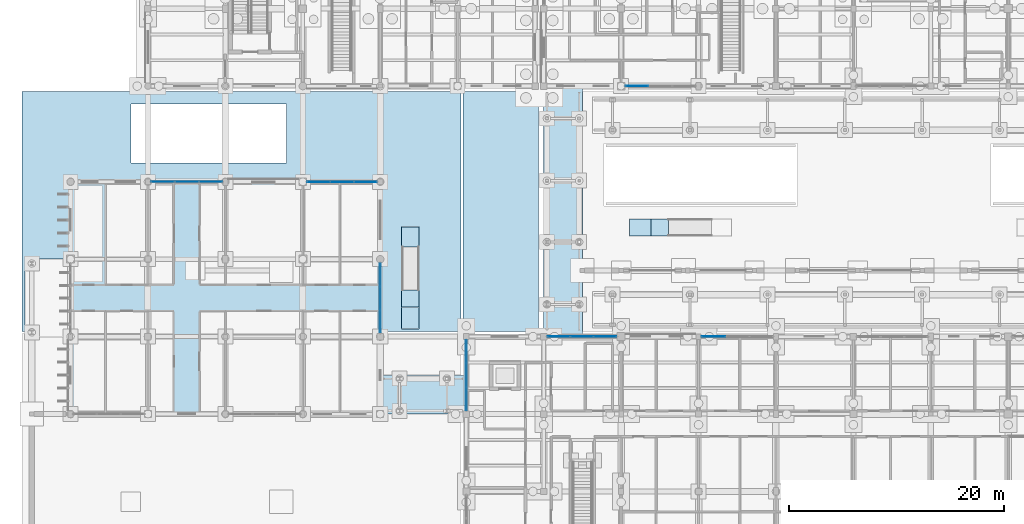
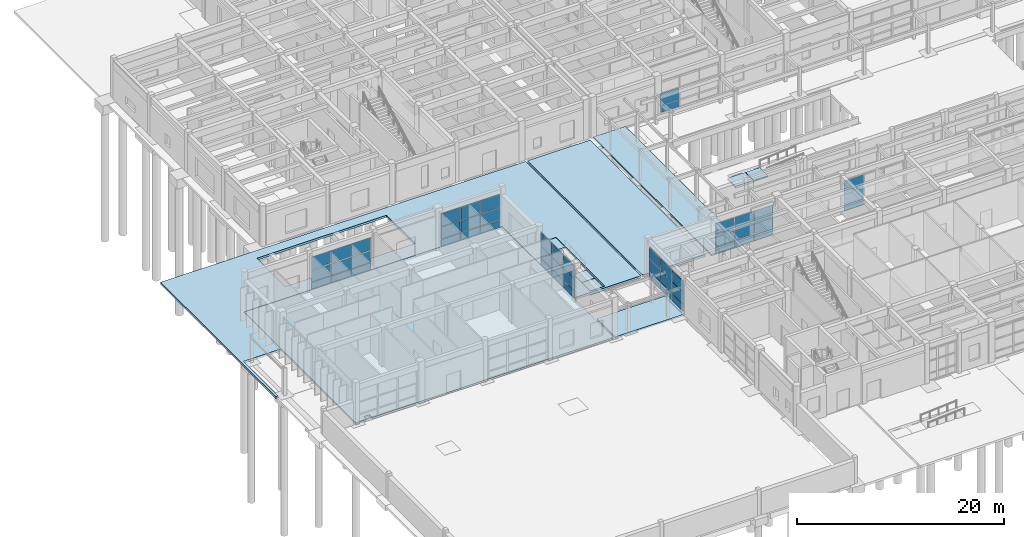
# One storey, part 79 of 143: 50 plates, 10 slabs, 9 elements without a shape of their own.
"""IFC4 building model written with IfcOpenShell, lengths in metres."""

from ifc_helpers import new_model, si_unit, direction, frame, origin, origin_2d, place, context, subcontext, project, spatial, polyline, rectangle, outline, extrude, material, layer, layer_set, type_object, element, aggregate, save


model = new_model("IFC4")

# Units and contexts
model_context = context("Model", 3, precision=1e-05, world=origin(), true_north=direction((0.0, 1.0)))
body_context = subcontext(model_context, "Body", "Model", "MODEL_VIEW")
ifc_project = project(units=[si_unit("LENGTHUNIT", "METRE"), si_unit("AREAUNIT", "SQUARE_METRE"), si_unit("VOLUMEUNIT", "CUBIC_METRE"), si_unit("PLANEANGLEUNIT", "RADIAN"), si_unit("MASSUNIT", "GRAM", prefix="KILO")], contexts=[model_context])

# Site, building, storey
site_placement = place(None, origin())
site = spatial("IfcSite", under=ifc_project, at=site_placement, CompositionType="ELEMENT")
building_placement = place(site_placement, origin())
building = spatial("IfcBuilding", under=site, at=building_placement, Name="Steenspoor Specialist Clinic", CompositionType="ELEMENT")
storey_placement = place(building_placement, origin())
storey = spatial("IfcBuildingStorey", under=building, at=storey_placement, Name="L00", CompositionType="ELEMENT", Elevation=0.0)

# Curtain wall, plates
ifc_material_1 = material(Name="Thermally broken aluminium and low-emissivity glass", Category="aluminium")
curtain_wall_type_1 = type_object("IfcCurtainWallType", Name="CW-TYP-660X355", PredefinedType="USERDEFINED", material=ifc_material_1)
curtain_wall_1_placement = place(storey_placement, origin())
curtain_wall_1 = element("IfcCurtainWall", 1, at=curtain_wall_1_placement, inside=storey, type_object=curtain_wall_type_1, Name="Unitised Curtain Wall CW-V1-L00-009", ObjectType="UNITISED GLAZING", PredefinedType="USERDEFINED")
ifc_material_2 = material(Name="Double low-emissivity insulated glass", Category="glass")
ifc_layer_1 = layer(ifc_material_2, 0.035888671875)
ifc_layer_set_1 = layer_set([ifc_layer_1], Name="Double low-emissivity insulated glass")
plate_type_1 = type_object("IfcPlateType", Name="CW-PAN-GL36", PredefinedType="CURTAIN_PANEL", material=ifc_layer_set_1)
plate_1_placement = place(storey_placement, frame((53.8037109375, 41.85009765625, 0.08984375), z_axis=(0.0, 0.0, 1.0), x_axis=(1.0, 0.0, 0.0)))
plate_1 = element("IfcPlate", 2, at=plate_1_placement, type_object=plate_type_1, Name="CW-09 panel 1.1", PredefinedType="CURTAIN_PANEL", context=body_context, shape_type="SweptSolid", body=[
    extrude(rectangle(XDim=2.077392578125, YDim=0.035888671875, at=origin_2d()), origin(), (0.0, 0.0, 1.0), 0.764892578125),
])
plate_2_placement = place(storey_placement, frame((53.8037109375, 41.85009765625, 0.94482421875), z_axis=(0.0, 0.0, 1.0), x_axis=(1.0, 0.0, 0.0)))
plate_2 = element("IfcPlate", 3, at=plate_2_placement, type_object=plate_type_1, Name="CW-09 panel 1.2", PredefinedType="CURTAIN_PANEL", context=body_context, shape_type="SweptSolid", body=[
    extrude(rectangle(XDim=2.077392578125, YDim=0.035888671875, at=origin_2d()), origin(), (0.0, 0.0, 1.0), 1.360107421875),
])
plate_3_placement = place(storey_placement, frame((53.8037109375, 41.85009765625, 2.39501953125), z_axis=(0.0, 0.0, 1.0), x_axis=(1.0, 0.0, 0.0)))
plate_3 = element("IfcPlate", 4, at=plate_3_placement, type_object=plate_type_1, Name="CW-09 panel 1.3", PredefinedType="CURTAIN_PANEL", context=body_context, shape_type="SweptSolid", body=[
    extrude(rectangle(XDim=2.077392578125, YDim=0.035888671875, at=origin_2d()), origin(), (0.0, 0.0, 1.0), 1.2451171875),
])
plate_4_placement = place(storey_placement, frame((55.96240234375, 41.85009765625, 0.08984375), z_axis=(0.0, 0.0, 1.0), x_axis=(1.0, 0.0, 0.0)))
plate_4 = element("IfcPlate", 5, at=plate_4_placement, type_object=plate_type_1, Name="CW-09 panel 2.1", PredefinedType="CURTAIN_PANEL", context=body_context, shape_type="SweptSolid", body=[
    extrude(rectangle(XDim=2.110107421875, YDim=0.035888671875, at=origin_2d()), origin(), (0.0, 0.0, 1.0), 0.764892578125),
])
plate_5_placement = place(storey_placement, frame((55.96240234375, 41.85009765625, 0.94482421875), z_axis=(0.0, 0.0, 1.0), x_axis=(1.0, 0.0, 0.0)))
plate_5 = element("IfcPlate", 6, at=plate_5_placement, type_object=plate_type_1, Name="CW-09 panel 2.2", PredefinedType="CURTAIN_PANEL", context=body_context, shape_type="SweptSolid", body=[
    extrude(rectangle(XDim=2.110107421875, YDim=0.035888671875, at=origin_2d()), origin(), (0.0, 0.0, 1.0), 1.360107421875),
])
plate_6_placement = place(storey_placement, frame((55.96240234375, 41.85009765625, 2.39501953125), z_axis=(0.0, 0.0, 1.0), x_axis=(1.0, 0.0, 0.0)))
plate_6 = element("IfcPlate", 7, at=plate_6_placement, type_object=plate_type_1, Name="CW-09 panel 2.3", PredefinedType="CURTAIN_PANEL", context=body_context, shape_type="SweptSolid", body=[
    extrude(rectangle(XDim=2.110107421875, YDim=0.035888671875, at=origin_2d()), origin(), (0.0, 0.0, 1.0), 1.2451171875),
])
plate_7_placement = place(storey_placement, frame((58.121337890625, 41.85009765625, 0.08984375), z_axis=(0.0, 0.0, 1.0), x_axis=(1.0, 0.0, 0.0)))
plate_7 = element("IfcPlate", 8, at=plate_7_placement, type_object=plate_type_1, Name="CW-09 panel 3.1", PredefinedType="CURTAIN_PANEL", context=body_context, shape_type="SweptSolid", body=[
    extrude(rectangle(XDim=2.077392578125, YDim=0.035888671875, at=origin_2d()), origin(), (0.0, 0.0, 1.0), 0.764892578125),
])
plate_8_placement = place(storey_placement, frame((58.121337890625, 41.85009765625, 0.94482421875), z_axis=(0.0, 0.0, 1.0), x_axis=(1.0, 0.0, 0.0)))
plate_8 = element("IfcPlate", 9, at=plate_8_placement, type_object=plate_type_1, Name="CW-09 panel 3.2", PredefinedType="CURTAIN_PANEL", context=body_context, shape_type="SweptSolid", body=[
    extrude(rectangle(XDim=2.077392578125, YDim=0.035888671875, at=origin_2d()), origin(), (0.0, 0.0, 1.0), 1.360107421875),
])
plate_9_placement = place(storey_placement, frame((58.121337890625, 41.85009765625, 2.39501953125), z_axis=(0.0, 0.0, 1.0), x_axis=(1.0, 0.0, 0.0)))
plate_9 = element("IfcPlate", 10, at=plate_9_placement, type_object=plate_type_1, Name="CW-09 panel 3.3", PredefinedType="CURTAIN_PANEL", context=body_context, shape_type="SweptSolid", body=[
    extrude(rectangle(XDim=2.077392578125, YDim=0.035888671875, at=origin_2d()), origin(), (0.0, 0.0, 1.0), 1.2451171875),
])
aggregate(curtain_wall_1, [plate_1, plate_2, plate_3, plate_4, plate_5, plate_6, plate_7, plate_8, plate_9])

curtain_wall_type_2 = type_object("IfcCurtainWallType", Name="CW-TYP-300X355", PredefinedType="USERDEFINED", material=ifc_material_1)
curtain_wall_2_placement = place(storey_placement, origin())
curtain_wall_2 = element("IfcCurtainWall", 11, at=curtain_wall_2_placement, inside=storey, type_object=curtain_wall_type_2, Name="Unitised Curtain Wall CW-V3-L00-039", ObjectType="UNITISED GLAZING", PredefinedType="USERDEFINED")
plate_10_placement = place(storey_placement, frame((16.987060546875, 56.25, 0.08984375), z_axis=(0.0, 0.0, 1.0), x_axis=(1.0, 0.0, 0.0)))
plate_10 = element("IfcPlate", 12, at=plate_10_placement, type_object=plate_type_1, Name="CW-15 panel 1.1", PredefinedType="CURTAIN_PANEL", context=body_context, shape_type="SweptSolid", body=[
    extrude(rectangle(XDim=2.144287109375, YDim=0.035888671875, at=origin_2d()), origin(), (0.0, 0.0, 1.0), 0.764892578125),
])
plate_11_placement = place(storey_placement, frame((16.987060546875, 56.25, 0.94482421875), z_axis=(0.0, 0.0, 1.0), x_axis=(1.0, 0.0, 0.0)))
plate_11 = element("IfcPlate", 13, at=plate_11_placement, type_object=plate_type_1, Name="CW-15 panel 1.2", PredefinedType="CURTAIN_PANEL", context=body_context, shape_type="SweptSolid", body=[
    extrude(rectangle(XDim=2.144287109375, YDim=0.035888671875, at=origin_2d()), origin(), (0.0, 0.0, 1.0), 1.360107421875),
])
plate_12_placement = place(storey_placement, frame((16.987060546875, 56.25, 2.39501953125), z_axis=(0.0, 0.0, 1.0), x_axis=(1.0, 0.0, 0.0)))
plate_12 = element("IfcPlate", 14, at=plate_12_placement, type_object=plate_type_1, Name="CW-15 panel 1.3", PredefinedType="CURTAIN_PANEL", context=body_context, shape_type="SweptSolid", body=[
    extrude(rectangle(XDim=2.144287109375, YDim=0.035888671875, at=origin_2d()), origin(), (0.0, 0.0, 1.0), 1.4951171875),
])
plate_13_placement = place(storey_placement, frame((19.21240234375, 56.25, 0.08984375), z_axis=(0.0, 0.0, 1.0), x_axis=(1.0, 0.0, 0.0)))
plate_13 = element("IfcPlate", 15, at=plate_13_placement, type_object=plate_type_1, Name="CW-15 panel 2.1", PredefinedType="CURTAIN_PANEL", context=body_context, shape_type="SweptSolid", body=[
    extrude(rectangle(XDim=2.1767578125, YDim=0.035888671875, at=origin_2d()), origin(), (0.0, 0.0, 1.0), 0.764892578125),
])
plate_14_placement = place(storey_placement, frame((19.21240234375, 56.25, 0.94482421875), z_axis=(0.0, 0.0, 1.0), x_axis=(1.0, 0.0, 0.0)))
plate_14 = element("IfcPlate", 16, at=plate_14_placement, type_object=plate_type_1, Name="CW-15 panel 2.2", PredefinedType="CURTAIN_PANEL", context=body_context, shape_type="SweptSolid", body=[
    extrude(rectangle(XDim=2.1767578125, YDim=0.035888671875, at=origin_2d()), origin(), (0.0, 0.0, 1.0), 1.360107421875),
])
plate_15_placement = place(storey_placement, frame((19.21240234375, 56.25, 2.39501953125), z_axis=(0.0, 0.0, 1.0), x_axis=(1.0, 0.0, 0.0)))
plate_15 = element("IfcPlate", 17, at=plate_15_placement, type_object=plate_type_1, Name="CW-15 panel 2.3", PredefinedType="CURTAIN_PANEL", context=body_context, shape_type="SweptSolid", body=[
    extrude(rectangle(XDim=2.1767578125, YDim=0.035888671875, at=origin_2d()), origin(), (0.0, 0.0, 1.0), 1.4951171875),
])
plate_16_placement = place(storey_placement, frame((21.43798828125, 56.25, 0.08984375), z_axis=(0.0, 0.0, 1.0), x_axis=(1.0, 0.0, 0.0)))
plate_16 = element("IfcPlate", 18, at=plate_16_placement, type_object=plate_type_1, Name="CW-15 panel 3.1", PredefinedType="CURTAIN_PANEL", context=body_context, shape_type="SweptSolid", body=[
    extrude(rectangle(XDim=2.144287109375, YDim=0.035888671875, at=origin_2d()), origin(), (0.0, 0.0, 1.0), 0.764892578125),
])
plate_17_placement = place(storey_placement, frame((21.43798828125, 56.25, 0.94482421875), z_axis=(0.0, 0.0, 1.0), x_axis=(1.0, 0.0, 0.0)))
plate_17 = element("IfcPlate", 19, at=plate_17_placement, type_object=plate_type_1, Name="CW-15 panel 3.2", PredefinedType="CURTAIN_PANEL", context=body_context, shape_type="SweptSolid", body=[
    extrude(rectangle(XDim=2.144287109375, YDim=0.035888671875, at=origin_2d()), origin(), (0.0, 0.0, 1.0), 1.360107421875),
])
plate_18_placement = place(storey_placement, frame((21.43798828125, 56.25, 2.39501953125), z_axis=(0.0, 0.0, 1.0), x_axis=(1.0, 0.0, 0.0)))
plate_18 = element("IfcPlate", 20, at=plate_18_placement, type_object=plate_type_1, Name="CW-15 panel 3.3", PredefinedType="CURTAIN_PANEL", context=body_context, shape_type="SweptSolid", body=[
    extrude(rectangle(XDim=2.144287109375, YDim=0.035888671875, at=origin_2d()), origin(), (0.0, 0.0, 1.0), 1.4951171875),
])
aggregate(curtain_wall_2, [plate_10, plate_11, plate_12, plate_13, plate_14, plate_15, plate_16, plate_17, plate_18])

curtain_wall_type_3 = type_object("IfcCurtainWallType", Name="CW-TYP-650X355", PredefinedType="USERDEFINED", material=ifc_material_1)
curtain_wall_3_placement = place(storey_placement, origin())
curtain_wall_3 = element("IfcCurtainWall", 21, at=curtain_wall_3_placement, inside=storey, type_object=curtain_wall_type_3, Name="Unitised Curtain Wall CW-V1-L00-010", ObjectType="UNITISED GLAZING", PredefinedType="USERDEFINED")
ifc_material_3 = material(Name="Triple acoustic laminated low-emissivity glass", Category="glass")
ifc_layer_2 = layer(ifc_material_3, 0.048095703125)
ifc_layer_set_2 = layer_set([ifc_layer_2], Name="Triple acoustic laminated low-emissivity glass")
plate_type_2 = type_object("IfcPlateType", Name="CW-PAN-GL48", PredefinedType="CURTAIN_PANEL", material=ifc_layer_set_2)
plate_19_placement = place(storey_placement, frame((68.185791015625, 41.85009765625, 0.080078125), z_axis=(0.0, 0.0, 1.0), x_axis=(1.0, 0.0, 0.0)))
plate_19 = element("IfcPlate", 22, at=plate_19_placement, type_object=plate_type_2, Name="CW-10 panel 1.1", PredefinedType="CURTAIN_PANEL", context=body_context, shape_type="SweptSolid", body=[
    extrude(rectangle(XDim=2.151611328125, YDim=0.048095703125, at=origin_2d()), origin(), (0.0, 0.0, 1.0), 0.780029296875),
])
plate_20_placement = place(storey_placement, frame((68.185791015625, 41.85009765625, 0.93994140625), z_axis=(0.0, 0.0, 1.0), x_axis=(1.0, 0.0, 0.0)))
plate_20 = element("IfcPlate", 23, at=plate_20_placement, type_object=plate_type_2, Name="CW-10 panel 1.2", PredefinedType="CURTAIN_PANEL", context=body_context, shape_type="SweptSolid", body=[
    extrude(rectangle(XDim=2.151611328125, YDim=0.048095703125, at=origin_2d()), origin(), (0.0, 0.0, 1.0), 1.3701171875),
])
plate_21_placement = place(storey_placement, frame((68.185791015625, 41.85009765625, 2.39013671875), z_axis=(0.0, 0.0, 1.0), x_axis=(1.0, 0.0, 0.0)))
plate_21 = element("IfcPlate", 24, at=plate_21_placement, type_object=plate_type_2, Name="CW-10 panel 1.3", PredefinedType="CURTAIN_PANEL", context=body_context, shape_type="SweptSolid", body=[
    extrude(rectangle(XDim=2.151611328125, YDim=0.048095703125, at=origin_2d()), origin(), (0.0, 0.0, 1.0), 1.260009765625),
])
aggregate(curtain_wall_3, [plate_19, plate_20, plate_21])

curtain_wall_type_4 = type_object("IfcCurtainWallType", Name="CW-TYP-240X355", PredefinedType="USERDEFINED", material=ifc_material_1)
curtain_wall_4_placement = place(storey_placement, origin())
curtain_wall_4 = element("IfcCurtainWall", 25, at=curtain_wall_4_placement, inside=storey, type_object=curtain_wall_type_4, Name="Unitised Curtain Wall CW-V3-L00-040", ObjectType="UNITISED GLAZING", PredefinedType="USERDEFINED")
plate_22_placement = place(storey_placement, frame((31.465087890625, 56.25, 0.080078125), z_axis=(0.0, 0.0, 1.0), x_axis=(1.0, 0.0, 0.0)))
plate_22 = element("IfcPlate", 26, at=plate_22_placement, type_object=plate_type_2, Name="CW-16 panel 1.1", PredefinedType="CURTAIN_PANEL", context=body_context, shape_type="SweptSolid", body=[
    extrude(rectangle(XDim=2.110107421875, YDim=0.048095703125, at=origin_2d()), origin(), (0.0, 0.0, 1.0), 0.780029296875),
])
plate_23_placement = place(storey_placement, frame((31.465087890625, 56.25, 0.93994140625), z_axis=(0.0, 0.0, 1.0), x_axis=(1.0, 0.0, 0.0)))
plate_23 = element("IfcPlate", 27, at=plate_23_placement, type_object=plate_type_2, Name="CW-16 panel 1.2", PredefinedType="CURTAIN_PANEL", context=body_context, shape_type="SweptSolid", body=[
    extrude(rectangle(XDim=2.110107421875, YDim=0.048095703125, at=origin_2d()), origin(), (0.0, 0.0, 1.0), 1.3701171875),
])
plate_24_placement = place(storey_placement, frame((31.465087890625, 56.25, 2.39013671875), z_axis=(0.0, 0.0, 1.0), x_axis=(1.0, 0.0, 0.0)))
plate_24 = element("IfcPlate", 28, at=plate_24_placement, type_object=plate_type_2, Name="CW-16 panel 1.3", PredefinedType="CURTAIN_PANEL", context=body_context, shape_type="SweptSolid", body=[
    extrude(rectangle(XDim=2.110107421875, YDim=0.048095703125, at=origin_2d()), origin(), (0.0, 0.0, 1.0), 1.510009765625),
])
plate_25_placement = place(storey_placement, frame((33.64990234375, 56.25, 0.080078125), z_axis=(0.0, 0.0, 1.0), x_axis=(1.0, 0.0, 0.0)))
plate_25 = element("IfcPlate", 29, at=plate_25_placement, type_object=plate_type_2, Name="CW-16 panel 2.1", PredefinedType="CURTAIN_PANEL", context=body_context, shape_type="SweptSolid", body=[
    extrude(rectangle(XDim=2.139892578125, YDim=0.048095703125, at=origin_2d()), origin(), (0.0, 0.0, 1.0), 0.780029296875),
])
plate_26_placement = place(storey_placement, frame((33.64990234375, 56.25, 0.93994140625), z_axis=(0.0, 0.0, 1.0), x_axis=(1.0, 0.0, 0.0)))
plate_26 = element("IfcPlate", 30, at=plate_26_placement, type_object=plate_type_2, Name="CW-16 panel 2.2", PredefinedType="CURTAIN_PANEL", context=body_context, shape_type="SweptSolid", body=[
    extrude(rectangle(XDim=2.139892578125, YDim=0.048095703125, at=origin_2d()), origin(), (0.0, 0.0, 1.0), 1.3701171875),
])
plate_27_placement = place(storey_placement, frame((33.64990234375, 56.25, 2.39013671875), z_axis=(0.0, 0.0, 1.0), x_axis=(1.0, 0.0, 0.0)))
plate_27 = element("IfcPlate", 31, at=plate_27_placement, type_object=plate_type_2, Name="CW-16 panel 2.3", PredefinedType="CURTAIN_PANEL", context=body_context, shape_type="SweptSolid", body=[
    extrude(rectangle(XDim=2.139892578125, YDim=0.048095703125, at=origin_2d()), origin(), (0.0, 0.0, 1.0), 1.510009765625),
])
plate_28_placement = place(storey_placement, frame((35.8349609375, 56.25, 0.080078125), z_axis=(0.0, 0.0, 1.0), x_axis=(1.0, 0.0, 0.0)))
plate_28 = element("IfcPlate", 32, at=plate_28_placement, type_object=plate_type_2, Name="CW-16 panel 3.1", PredefinedType="CURTAIN_PANEL", context=body_context, shape_type="SweptSolid", body=[
    extrude(rectangle(XDim=2.110107421875, YDim=0.048095703125, at=origin_2d()), origin(), (0.0, 0.0, 1.0), 0.780029296875),
])
plate_29_placement = place(storey_placement, frame((35.8349609375, 56.25, 0.93994140625), z_axis=(0.0, 0.0, 1.0), x_axis=(1.0, 0.0, 0.0)))
plate_29 = element("IfcPlate", 33, at=plate_29_placement, type_object=plate_type_2, Name="CW-16 panel 3.2", PredefinedType="CURTAIN_PANEL", context=body_context, shape_type="SweptSolid", body=[
    extrude(rectangle(XDim=2.110107421875, YDim=0.048095703125, at=origin_2d()), origin(), (0.0, 0.0, 1.0), 1.3701171875),
])
plate_30_placement = place(storey_placement, frame((35.8349609375, 56.25, 2.39013671875), z_axis=(0.0, 0.0, 1.0), x_axis=(1.0, 0.0, 0.0)))
plate_30 = element("IfcPlate", 34, at=plate_30_placement, type_object=plate_type_2, Name="CW-16 panel 3.3", PredefinedType="CURTAIN_PANEL", context=body_context, shape_type="SweptSolid", body=[
    extrude(rectangle(XDim=2.110107421875, YDim=0.048095703125, at=origin_2d()), origin(), (0.0, 0.0, 1.0), 1.510009765625),
])
aggregate(curtain_wall_4, [plate_22, plate_23, plate_24, plate_25, plate_26, plate_27, plate_28, plate_29, plate_30])

curtain_wall_type_5 = type_object("IfcCurtainWallType", Name="CW-L00-240X415", PredefinedType="USERDEFINED", material=ifc_material_1)
curtain_wall_5_placement = place(storey_placement, origin())
curtain_wall_5 = element("IfcCurtainWall", 35, at=curtain_wall_5_placement, inside=storey, type_object=curtain_wall_type_5, Name="Unitised Curtain Wall CW-V1-L00-008", ObjectType="UNITISED GLAZING", PredefinedType="USERDEFINED")
ifc_material_4 = material(Name="Insulated glazed ceramic spandrel panel", Category="glass")
ifc_layer_3 = layer(ifc_material_4, 0.074951171875)
ifc_layer_set_3 = layer_set([ifc_layer_3], Name="Insulated glazed ceramic spandrel panel")
plate_type_3 = type_object("IfcPlateType", Name="CW-PAN-SP75", PredefinedType="CURTAIN_PANEL", material=ifc_layer_set_3)
plate_31_placement = place(storey_placement, frame((45.199951171875, 36.07177734375, 0.06005859375), z_axis=(0.0, 0.0, 1.0), x_axis=(0.0, 1.0, 0.0)))
plate_31 = element("IfcPlate", 36, at=plate_31_placement, type_object=plate_type_3, Name="CW-08 panel 1.1", PredefinedType="CURTAIN_PANEL", context=body_context, shape_type="SweptSolid", body=[
    extrude(rectangle(XDim=2.103271484375, YDim=0.074951171875, at=origin_2d()), origin(), (0.0, 0.0, 1.0), 0.81005859375),
])
plate_32_placement = place(storey_placement, frame((45.199951171875, 36.07177734375, 0.93017578125), z_axis=(0.0, 0.0, 1.0), x_axis=(0.0, 1.0, 0.0)))
plate_32 = element("IfcPlate", 37, at=plate_32_placement, type_object=plate_type_3, Name="CW-08 panel 1.2", PredefinedType="CURTAIN_PANEL", context=body_context, shape_type="SweptSolid", body=[
    extrude(rectangle(XDim=2.103271484375, YDim=0.074951171875, at=origin_2d()), origin(), (0.0, 0.0, 1.0), 1.389892578125),
])
plate_33_placement = place(storey_placement, frame((45.199951171875, 36.07177734375, 2.3798828125), z_axis=(0.0, 0.0, 1.0), x_axis=(0.0, 1.0, 0.0)))
plate_33 = element("IfcPlate", 38, at=plate_33_placement, type_object=plate_type_3, Name="CW-08 panel 1.3", PredefinedType="CURTAIN_PANEL", context=body_context, shape_type="SweptSolid", body=[
    extrude(rectangle(XDim=2.103271484375, YDim=0.074951171875, at=origin_2d()), origin(), (0.0, 0.0, 1.0), 1.2900390625),
])
plate_34_placement = place(storey_placement, frame((45.199951171875, 38.262451171875, 0.06005859375), z_axis=(0.0, 0.0, 1.0), x_axis=(0.0, 1.0, 0.0)))
plate_34 = element("IfcPlate", 39, at=plate_34_placement, type_object=plate_type_3, Name="CW-08 panel 2.1", PredefinedType="CURTAIN_PANEL", context=body_context, shape_type="SweptSolid", body=[
    extrude(rectangle(XDim=2.138427734375, YDim=0.074951171875, at=origin_2d()), origin(), (0.0, 0.0, 1.0), 0.81005859375),
])
plate_35_placement = place(storey_placement, frame((45.199951171875, 38.262451171875, 0.93017578125), z_axis=(0.0, 0.0, 1.0), x_axis=(0.0, 1.0, 0.0)))
plate_35 = element("IfcPlate", 40, at=plate_35_placement, type_object=plate_type_3, Name="CW-08 panel 2.2", PredefinedType="CURTAIN_PANEL", context=body_context, shape_type="SweptSolid", body=[
    extrude(rectangle(XDim=2.138427734375, YDim=0.074951171875, at=origin_2d()), origin(), (0.0, 0.0, 1.0), 1.389892578125),
])
plate_36_placement = place(storey_placement, frame((45.199951171875, 38.262451171875, 2.3798828125), z_axis=(0.0, 0.0, 1.0), x_axis=(0.0, 1.0, 0.0)))
plate_36 = element("IfcPlate", 41, at=plate_36_placement, type_object=plate_type_3, Name="CW-08 panel 2.3", PredefinedType="CURTAIN_PANEL", context=body_context, shape_type="SweptSolid", body=[
    extrude(rectangle(XDim=2.138427734375, YDim=0.074951171875, at=origin_2d()), origin(), (0.0, 0.0, 1.0), 1.2900390625),
])
plate_37_placement = place(storey_placement, frame((45.199951171875, 40.453369140625, 0.06005859375), z_axis=(0.0, 0.0, 1.0), x_axis=(0.0, 1.0, 0.0)))
plate_37 = element("IfcPlate", 42, at=plate_37_placement, type_object=plate_type_3, Name="CW-08 panel 3.1", PredefinedType="CURTAIN_PANEL", context=body_context, shape_type="SweptSolid", body=[
    extrude(rectangle(XDim=2.103271484375, YDim=0.074951171875, at=origin_2d()), origin(), (0.0, 0.0, 1.0), 0.81005859375),
])
plate_38_placement = place(storey_placement, frame((45.199951171875, 40.453369140625, 0.93017578125), z_axis=(0.0, 0.0, 1.0), x_axis=(0.0, 1.0, 0.0)))
plate_38 = element("IfcPlate", 43, at=plate_38_placement, type_object=plate_type_3, Name="CW-08 panel 3.2", PredefinedType="CURTAIN_PANEL", context=body_context, shape_type="SweptSolid", body=[
    extrude(rectangle(XDim=2.103271484375, YDim=0.074951171875, at=origin_2d()), origin(), (0.0, 0.0, 1.0), 1.389892578125),
])
plate_39_placement = place(storey_placement, frame((45.199951171875, 40.453369140625, 2.3798828125), z_axis=(0.0, 0.0, 1.0), x_axis=(0.0, 1.0, 0.0)))
plate_39 = element("IfcPlate", 44, at=plate_39_placement, type_object=plate_type_3, Name="CW-08 panel 3.3", PredefinedType="CURTAIN_PANEL", context=body_context, shape_type="SweptSolid", body=[
    extrude(rectangle(XDim=2.103271484375, YDim=0.074951171875, at=origin_2d()), origin(), (0.0, 0.0, 1.0), 1.2900390625),
])
aggregate(curtain_wall_5, [plate_31, plate_32, plate_33, plate_34, plate_35, plate_36, plate_37, plate_38, plate_39])

curtain_wall_type_6 = type_object("IfcCurtainWallType", Name="CW-SCR-660X320", PredefinedType="USERDEFINED", material=ifc_material_1)
curtain_wall_6_placement = place(storey_placement, origin())
curtain_wall_6 = element("IfcCurtainWall", 45, at=curtain_wall_6_placement, inside=storey, type_object=curtain_wall_type_6, Name="Unitised Curtain Wall CW-V3-L00-041", ObjectType="UNITISED GLAZING", PredefinedType="USERDEFINED")
plate_40_placement = place(storey_placement, frame((37.199951171875, 47.5859375, 0.070068359375), z_axis=(0.0, 0.0, 1.0), x_axis=(0.0, -1.0, 0.0)))
plate_40 = element("IfcPlate", 46, at=plate_40_placement, type_object=plate_type_3, Name="CW-17 panel 1.1", PredefinedType="CURTAIN_PANEL", context=body_context, shape_type="SweptSolid", body=[
    extrude(rectangle(XDim=2.04833984375, YDim=0.074951171875, at=origin_2d()), origin(), (0.0, 0.0, 1.0), 0.794921875),
])
plate_41_placement = place(storey_placement, frame((37.199951171875, 47.5859375, 0.93505859375), z_axis=(0.0, 0.0, 1.0), x_axis=(0.0, -1.0, 0.0)))
plate_41 = element("IfcPlate", 47, at=plate_41_placement, type_object=plate_type_3, Name="CW-17 panel 1.2", PredefinedType="CURTAIN_PANEL", context=body_context, shape_type="SweptSolid", body=[
    extrude(rectangle(XDim=2.04833984375, YDim=0.074951171875, at=origin_2d()), origin(), (0.0, 0.0, 1.0), 1.3798828125),
])
plate_42_placement = place(storey_placement, frame((37.199951171875, 47.5859375, 2.385009765625), z_axis=(0.0, 0.0, 1.0), x_axis=(0.0, -1.0, 0.0)))
plate_42 = element("IfcPlate", 48, at=plate_42_placement, type_object=plate_type_3, Name="CW-17 panel 1.3", PredefinedType="CURTAIN_PANEL", context=body_context, shape_type="SweptSolid", body=[
    extrude(rectangle(XDim=2.04833984375, YDim=0.074951171875, at=origin_2d()), origin(), (0.0, 0.0, 1.0), 1.52490234375),
])
plate_43_placement = place(storey_placement, frame((37.199951171875, 45.425048828125, 0.070068359375), z_axis=(0.0, 0.0, 1.0), x_axis=(0.0, -1.0, 0.0)))
plate_43 = element("IfcPlate", 49, at=plate_43_placement, type_object=plate_type_3, Name="CW-17 panel 2.1", PredefinedType="CURTAIN_PANEL", context=body_context, shape_type="SweptSolid", body=[
    extrude(rectangle(XDim=2.09326171875, YDim=0.074951171875, at=origin_2d()), origin(), (0.0, 0.0, 1.0), 0.794921875),
])
plate_44_placement = place(storey_placement, frame((37.199951171875, 45.425048828125, 0.93505859375), z_axis=(0.0, 0.0, 1.0), x_axis=(0.0, -1.0, 0.0)))
plate_44 = element("IfcPlate", 50, at=plate_44_placement, type_object=plate_type_3, Name="CW-17 panel 2.2", PredefinedType="CURTAIN_PANEL", context=body_context, shape_type="SweptSolid", body=[
    extrude(rectangle(XDim=2.09326171875, YDim=0.074951171875, at=origin_2d()), origin(), (0.0, 0.0, 1.0), 1.3798828125),
])
plate_45_placement = place(storey_placement, frame((37.199951171875, 45.425048828125, 2.385009765625), z_axis=(0.0, 0.0, 1.0), x_axis=(0.0, -1.0, 0.0)))
plate_45 = element("IfcPlate", 51, at=plate_45_placement, type_object=plate_type_3, Name="CW-17 panel 2.3", PredefinedType="CURTAIN_PANEL", context=body_context, shape_type="SweptSolid", body=[
    extrude(rectangle(XDim=2.09326171875, YDim=0.074951171875, at=origin_2d()), origin(), (0.0, 0.0, 1.0), 1.52490234375),
])
plate_46_placement = place(storey_placement, frame((37.199951171875, 43.26416015625, 0.070068359375), z_axis=(0.0, 0.0, 1.0), x_axis=(0.0, -1.0, 0.0)))
plate_46 = element("IfcPlate", 52, at=plate_46_placement, type_object=plate_type_3, Name="CW-17 panel 3.1", PredefinedType="CURTAIN_PANEL", context=body_context, shape_type="SweptSolid", body=[
    extrude(rectangle(XDim=2.04833984375, YDim=0.074951171875, at=origin_2d()), origin(), (0.0, 0.0, 1.0), 0.794921875),
])
plate_47_placement = place(storey_placement, frame((37.199951171875, 43.26416015625, 0.93505859375), z_axis=(0.0, 0.0, 1.0), x_axis=(0.0, -1.0, 0.0)))
plate_47 = element("IfcPlate", 53, at=plate_47_placement, type_object=plate_type_3, Name="CW-17 panel 3.2", PredefinedType="CURTAIN_PANEL", context=body_context, shape_type="SweptSolid", body=[
    extrude(rectangle(XDim=2.04833984375, YDim=0.074951171875, at=origin_2d()), origin(), (0.0, 0.0, 1.0), 1.3798828125),
])
plate_48_placement = place(storey_placement, frame((37.199951171875, 43.26416015625, 2.385009765625), z_axis=(0.0, 0.0, 1.0), x_axis=(0.0, -1.0, 0.0)))
plate_48 = element("IfcPlate", 54, at=plate_48_placement, type_object=plate_type_3, Name="CW-17 panel 3.3", PredefinedType="CURTAIN_PANEL", context=body_context, shape_type="SweptSolid", body=[
    extrude(rectangle(XDim=2.04833984375, YDim=0.074951171875, at=origin_2d()), origin(), (0.0, 0.0, 1.0), 1.52490234375),
])
aggregate(curtain_wall_6, [plate_40, plate_41, plate_42, plate_43, plate_44, plate_45, plate_46, plate_47, plate_48])

curtain_wall_type_7 = type_object("IfcCurtainWallType", Name="CW-WLK-640X340", PredefinedType="USERDEFINED", material=ifc_material_1)
curtain_wall_7_placement = place(storey_placement, origin())
curtain_wall_7 = element("IfcCurtainWall", 55, at=curtain_wall_7_placement, inside=storey, type_object=curtain_wall_type_7, Name="Unitised Curtain Wall CW-V4-L00-044", ObjectType="UNITISED GLAZING", PredefinedType="USERDEFINED")
plate_49_placement = place(storey_placement, frame((61.0673828125, 65.14990234375, 0.08984375), z_axis=(0.0, 0.0, 1.0), x_axis=(-1.0, 0.0, 0.0)))
plate_49 = element("IfcPlate", 56, at=plate_49_placement, type_object=plate_type_3, Name="CW-20 panel 3.1", PredefinedType="CURTAIN_PANEL", context=body_context, shape_type="SweptSolid", body=[
    extrude(rectangle(XDim=2.094970703125, YDim=0.074951171875, at=origin_2d()), origin(), (0.0, 0.0, 1.0), 0.764892578125),
])
plate_50_placement = place(storey_placement, frame((61.0673828125, 65.14990234375, 0.94482421875), z_axis=(0.0, 0.0, 1.0), x_axis=(-1.0, 0.0, 0.0)))
plate_50 = element("IfcPlate", 57, at=plate_50_placement, type_object=plate_type_3, Name="CW-20 panel 3.2", PredefinedType="CURTAIN_PANEL", context=body_context, shape_type="SweptSolid", body=[
    extrude(rectangle(XDim=2.094970703125, YDim=0.074951171875, at=origin_2d()), origin(), (0.0, 0.0, 1.0), 1.360107421875),
])
aggregate(curtain_wall_7, [plate_49, plate_50])

# Slabs
ifc_material_5 = material(Name="Concrete C35/45", Category="concrete")
ifc_layer_4 = layer(ifc_material_5, 0.2099609375)
ifc_layer_set_4 = layer_set([ifc_layer_4], Name="Concrete C35/45")
slab_type_1 = type_object("IfcSlabType", Name="SL-PAV-210", PredefinedType="BASESLAB", material=ifc_layer_set_4)
slab_1_placement = place(storey_placement, frame((0.0, 0.0, -0.2099609375)))
element("IfcSlab", 58, at=slab_1_placement, inside=storey, type_object=slab_type_1, Name="Structural Slab SLAB-V3-L00-012", PredefinedType="BASESLAB", context=body_context, shape_type="SweptSolid", body=[
    extrude(outline(polyline([(8.39990234375, 56.25), (37.199951171875, 56.25), (37.199951171875, 34.64990234375), (10.25, 34.64990234375), (10.25, 35.199951171875), (9.60009765625, 35.199951171875), (9.60009765625, 34.64990234375), (8.39990234375, 34.64990234375), (8.39990234375, 56.25)])), origin(), (0.0, 0.0, 1.0), 0.2099609375),
])
ifc_layer_5 = layer(ifc_material_5, 0.25)
ifc_layer_set_5 = layer_set([ifc_layer_5], Name="Concrete C35/45")
slab_type_2 = type_object("IfcSlabType", Name="SL-PLAZA-250", PredefinedType="BASESLAB", material=ifc_layer_set_5)
slab_2_placement = place(storey_placement, frame((0.0, 0.0, -0.550048828125)))
element("IfcSlab", 59, at=slab_2_placement, inside=storey, type_object=slab_type_2, Name="Outdoor Drop-Off Ramp Kerb Paving Slab APRON-RMP-04", PredefinedType="BASESLAB", context=body_context, shape_type="SweptSolid", body=[
    extrude(outline(polyline([(40.800048828125, 42.60009765625), (40.800048828125, 44.580078125), (39.199951171875, 44.580078125), (39.199951171875, 42.60009765625), (40.800048828125, 42.60009765625)])), origin(), (0.0, 0.0, 1.0), 0.25),
])
slab_3_placement = place(storey_placement, frame((0.0, 0.0, -0.550048828125)))
element("IfcSlab", 60, at=slab_3_placement, inside=storey, type_object=slab_type_2, Name="Outdoor Drop-Off Ramp Kerb Paving Slab APRON-RMP-05", PredefinedType="BASESLAB", context=body_context, shape_type="SweptSolid", body=[
    extrude(outline(polyline([(62.3798828125, 51.199951171875), (62.3798828125, 52.800048828125), (60.39990234375, 52.800048828125), (60.39990234375, 51.199951171875), (62.3798828125, 51.199951171875)])), origin(), (0.0, 0.0, 1.0), 0.25),
])
slab_4_placement = place(storey_placement, frame((0.0, 0.0, -0.25)))
element("IfcSlab", 61, at=slab_4_placement, inside=storey, type_object=slab_type_2, Name="Outdoor Campus Plaza Paving Slab PLAZA-WEST-GARDEN-06", PredefinedType="BASESLAB", context=body_context, shape_type="SweptSolid", body=[
    extrude(outline(polyline([(3.89990234375, 64.64990234375), (44.699951171875, 64.64990234375), (44.699951171875, 42.35009765625), (37.219970703125, 42.35009765625), (37.219970703125, 56.27001953125), (8.3798828125, 56.27001953125), (8.3798828125, 49.070068359375), (4.179931640625, 49.070068359375), (4.179931640625, 42.35009765625), (3.89990234375, 42.35009765625), (3.89990234375, 64.64990234375)]), holes=[polyline([(40.820068359375, 42.580078125), (40.820068359375, 52.070068359375), (39.179931640625, 52.070068359375), (39.179931640625, 42.580078125), (40.820068359375, 42.580078125)]), polyline([(28.5, 58.0), (28.5, 63.5), (14.0, 63.5), (14.0, 58.0), (28.5, 58.0)])]), origin(), (0.0, 0.0, 1.0), 0.25),
])
slab_5_placement = place(storey_placement, frame((0.0, 0.0, -0.25)))
element("IfcSlab", 62, at=slab_5_placement, inside=storey, type_object=slab_type_2, Name="Outdoor Campus Plaza Paving Slab PLAZA-WEST-GARDEN-09", PredefinedType="BASESLAB", context=body_context, shape_type="SweptSolid", body=[
    extrude(outline(polyline([(51.89990234375, 42.35009765625), (44.89990234375, 42.35009765625), (44.89990234375, 64.64990234375), (51.89990234375, 64.64990234375), (51.89990234375, 42.35009765625)])), origin(), (0.0, 0.0, 1.0), 0.25),
])

# Ramp, slabs
ramp_type = type_object("IfcRampType", Name="RAMP-CONADI-075", PredefinedType="STRAIGHT_RUN_RAMP", material=ifc_material_5)
ramp_1_placement = place(storey_placement, origin())
ramp_1 = element("IfcRamp", 63, at=ramp_1_placement, inside=storey, type_object=ramp_type, Name="Accessible Ramp RMP-04", PredefinedType="STRAIGHT_RUN_RAMP")
ifc_layer_6 = layer(ifc_material_5, 0.159912109375)
ifc_layer_set_6 = layer_set([ifc_layer_6], Name="Concrete C35/45")
slab_type_3 = type_object("IfcSlabType", Name="SL-RLAND-160", PredefinedType="LANDING", material=ifc_layer_set_6)
slab_6_placement = place(storey_placement, frame((0.0, 0.0, -0.159912109375)))
slab_6 = element("IfcSlab", 64, at=slab_6_placement, type_object=slab_type_3, Name="Ramp Top Landing RMP-04", PredefinedType="LANDING", context=body_context, shape_type="SweptSolid", body=[
    extrude(outline(polyline([(40.800048828125, 50.199951171875), (40.800048828125, 52.050048828125), (39.199951171875, 52.050048828125), (39.199951171875, 50.199951171875), (40.800048828125, 50.199951171875)])), origin(), (0.0, 0.0, 1.0), 0.159912109375),
])
slab_7_placement = place(storey_placement, frame((0.0, 0.0, -0.4599609375)))
slab_7 = element("IfcSlab", 65, at=slab_7_placement, type_object=slab_type_3, Name="Ramp Bottom Landing RMP-04", PredefinedType="LANDING", context=body_context, shape_type="SweptSolid", body=[
    extrude(outline(polyline([(40.800048828125, 44.60009765625), (40.800048828125, 46.199951171875), (39.199951171875, 46.199951171875), (39.199951171875, 44.60009765625), (40.800048828125, 44.60009765625)])), origin(), (0.0, 0.0, 1.0), 0.159912109375),
])
aggregate(ramp_1, [slab_6, slab_7])

# Ramp, slab
ramp_2_placement = place(storey_placement, origin())
ramp_2 = element("IfcRamp", 66, at=ramp_2_placement, inside=storey, type_object=ramp_type, Name="Accessible Ramp RMP-05", PredefinedType="STRAIGHT_RUN_RAMP")
slab_8_placement = place(storey_placement, frame((0.0, 0.0, -0.4599609375)))
slab_8 = element("IfcSlab", 67, at=slab_8_placement, type_object=slab_type_3, Name="Ramp Bottom Landing RMP-05", PredefinedType="LANDING", context=body_context, shape_type="SweptSolid", body=[
    extrude(outline(polyline([(62.39990234375, 51.199951171875), (64.0, 51.199951171875), (64.0, 52.800048828125), (62.39990234375, 52.800048828125), (62.39990234375, 51.199951171875)])), origin(), (0.0, 0.0, 1.0), 0.159912109375),
])
aggregate(ramp_2, [slab_8])

# Slabs
ifc_layer_7 = layer(ifc_material_5, 0.18994140625)
ifc_layer_set_7 = layer_set([ifc_layer_7], Name="Concrete C35/45")
slab_type_4 = type_object("IfcSlabType", Name="SL-WALK-190", PredefinedType="FLOOR", material=ifc_layer_set_7)
slab_9_placement = place(storey_placement, frame((0.0, 0.0, -0.18994140625)))
element("IfcSlab", 68, at=slab_9_placement, inside=storey, type_object=slab_type_4, Name="West Courtyard Covered Timber Colonnade Walkway Terrace Deck", PredefinedType="FLOOR", context=body_context, shape_type="SweptSolid", body=[
    extrude(outline(polyline([(56.0, 42.050048828125), (56.0, 64.949951171875), (52.39990234375, 64.949951171875), (52.39990234375, 42.050048828125), (56.0, 42.050048828125)])), origin(), (0.0, 0.0, 1.0), 0.18994140625),
])
slab_10_placement = place(storey_placement, frame((0.0, 0.0, -0.18994140625)))
element("IfcSlab", 69, at=slab_10_placement, inside=storey, type_object=slab_type_4, Name="Healing Garden Covered Timber Colonnade Walkway Terrace Deck", PredefinedType="FLOOR", context=body_context, shape_type="SweptSolid", body=[
    extrude(outline(polyline([(45.0, 34.64990234375), (45.0, 38.25), (37.39990234375, 38.25), (37.39990234375, 34.64990234375), (45.0, 34.64990234375)])), origin(), (0.0, 0.0, 1.0), 0.18994140625),
])

save(model, "model.ifc")
